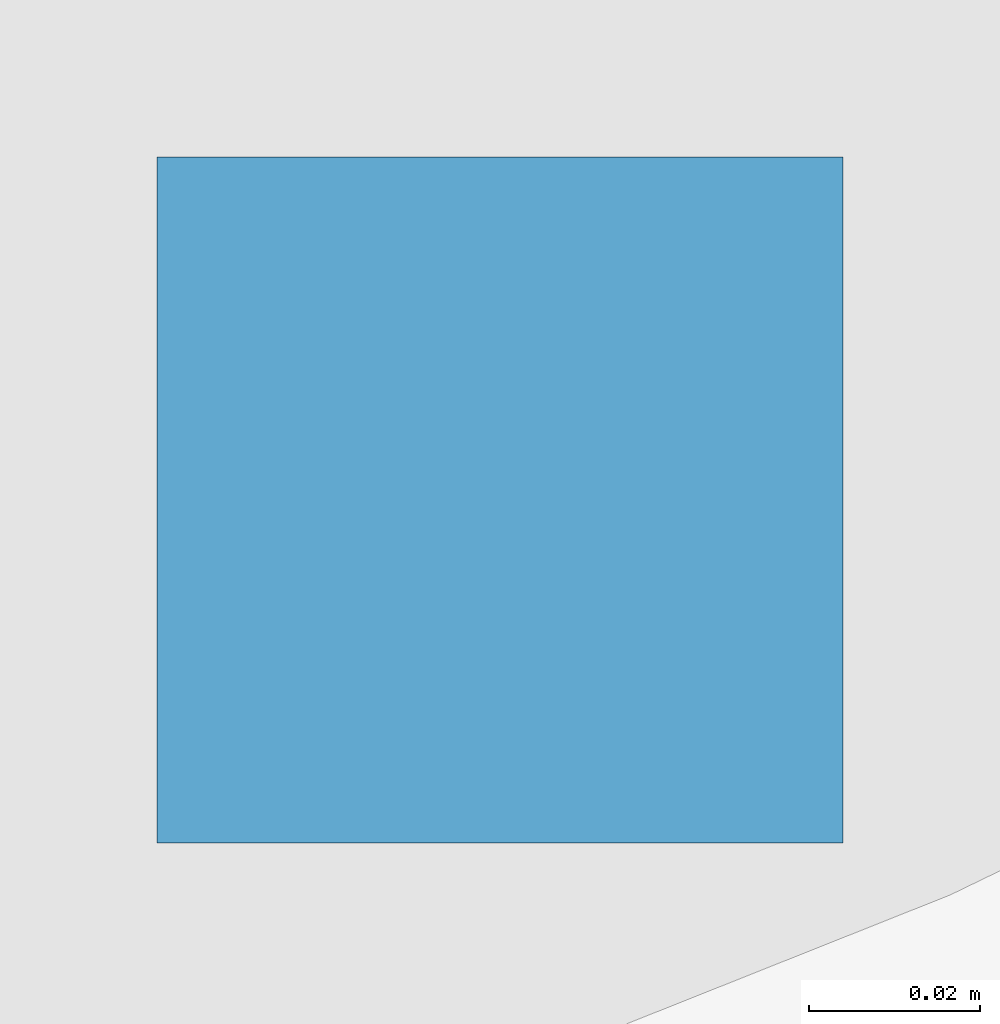
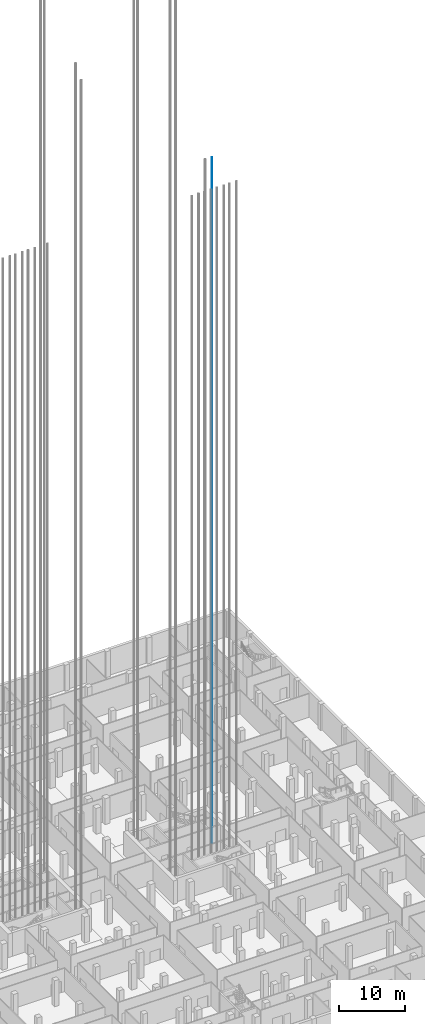
# One storey, part 51 of 54: 1 discrete accessory.
"""IFC4 building model written with IfcOpenShell, lengths in metres."""

from ifc_helpers import new_model, si_unit, direction, frame, origin, origin_2d, place, context, subcontext, project, spatial, rectangle, extrude, material, element, save


model = new_model("IFC4")

# Units and contexts
model_context = context("Model", 3, precision=1e-05, world=origin(), true_north=direction((0.0, 1.0)))
body_context = subcontext(model_context, "Body", "Model", "MODEL_VIEW")
ifc_project = project(units=[si_unit("LENGTHUNIT", "METRE"), si_unit("AREAUNIT", "SQUARE_METRE"), si_unit("VOLUMEUNIT", "CUBIC_METRE"), si_unit("PLANEANGLEUNIT", "RADIAN"), si_unit("MASSUNIT", "GRAM", prefix="KILO")], contexts=[model_context])

# Site, building, storey
site_placement = place(None, origin())
site = spatial("IfcSite", under=ifc_project, at=site_placement, CompositionType="ELEMENT")
building_placement = place(site_placement, origin())
building = spatial("IfcBuilding", under=site, at=building_placement, Name="Fustian Cross Tower", CompositionType="ELEMENT")
storey_placement = place(building_placement, frame((0.0, 0.0, -4.800048828125)))
storey = spatial("IfcBuildingStorey", under=building, at=storey_placement, Name="B1", CompositionType="ELEMENT", Elevation=-4.800048828125)

# Discrete accessory
ifc_material = material(Name="Steel S355", Category="steel")
discrete_accessory_placement = place(storey_placement, frame((20.47509765625, 3.7099609375, 0.0), z_axis=(0.0, 0.0, 1.0), x_axis=(1.0, 0.0, 0.0)))
element("IfcDiscreteAccessory", 1, at=discrete_accessory_placement, inside=storey, material=ifc_material, Name="Lift guide rail SH2 2", PredefinedType="NOTDEFINED", context=body_context, shape_type="SweptSolid", body=[
    extrude(rectangle(XDim=0.080078125, YDim=0.080078125, at=origin_2d()), origin(), (0.0, 0.0, 1.0), 127.14990234375),
])

save(model, "model.ifc")
